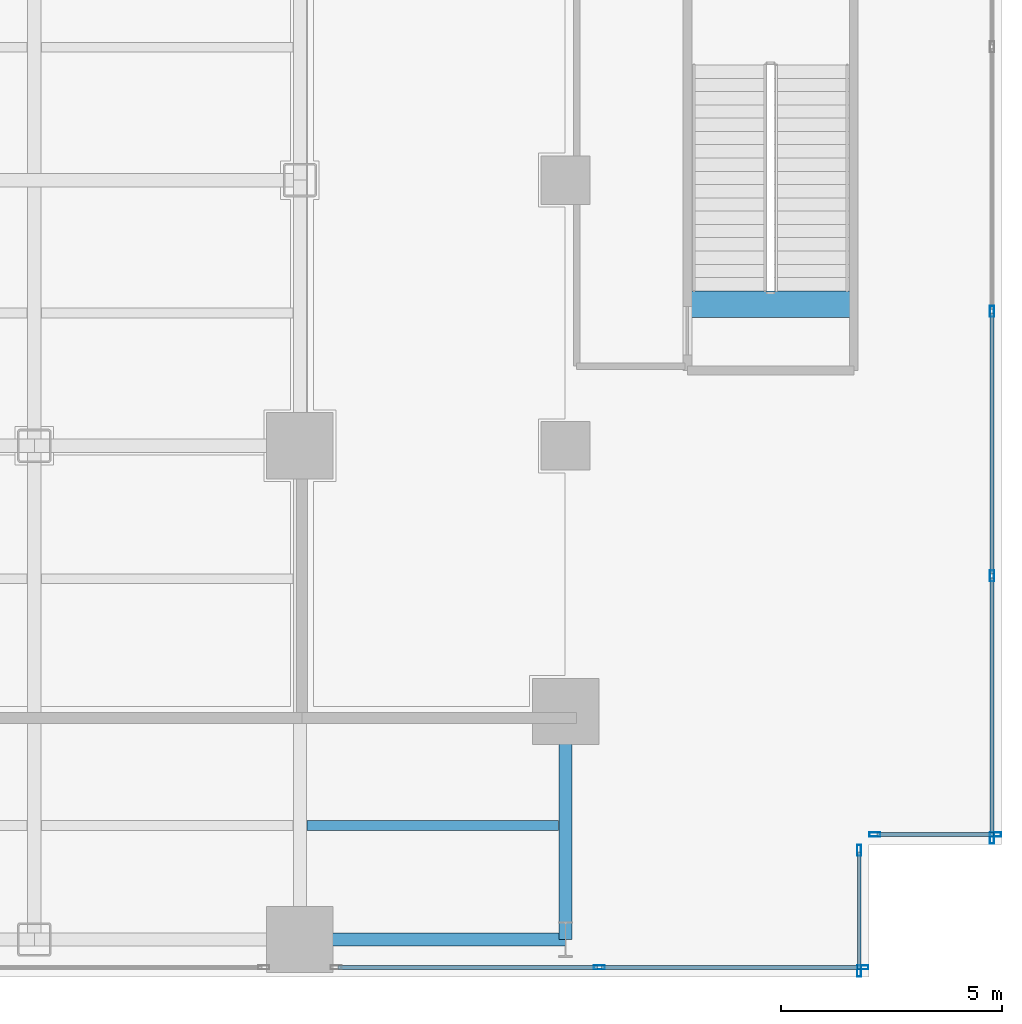
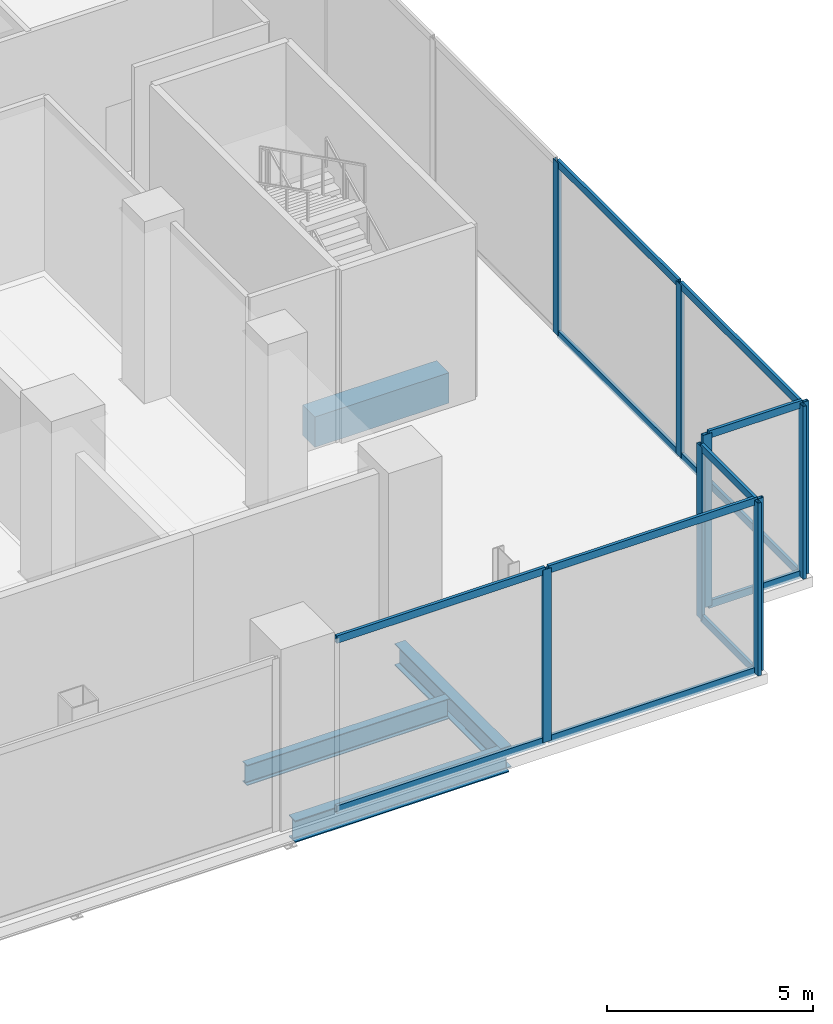
# One storey, part 10 of 27: 21 members, 4 beams, 4 elements without a shape of their own.
"""IFC4 building model written with IfcOpenShell, lengths in metres."""

from ifc_helpers import new_model, si_unit, direction, frame, origin, origin_2d, place, context, subcontext, project, spatial, rectangle, hollow_rectangle, i_section, extrude, material, layer, layer_set, material_profile, profile_set, type_object, element, aggregate, save


model = new_model("IFC4")

# Units and contexts
model_context = context("Model", 3, precision=1e-05, world=origin(), true_north=direction((0.0, 1.0)))
body_context = subcontext(model_context, "Body", "Model", "MODEL_VIEW")
ifc_project = project(units=[si_unit("LENGTHUNIT", "METRE"), si_unit("AREAUNIT", "SQUARE_METRE"), si_unit("VOLUMEUNIT", "CUBIC_METRE"), si_unit("PLANEANGLEUNIT", "RADIAN"), si_unit("MASSUNIT", "GRAM", prefix="KILO"), si_unit("THERMODYNAMICTEMPERATUREUNIT", "KELVIN"), si_unit("POWERUNIT", "WATT")], contexts=[model_context])

# Site, building, storey
site_placement = place(None, origin())
site = spatial("IfcSite", under=ifc_project, at=site_placement, CompositionType="ELEMENT")
building_placement = place(site_placement, origin())
building = spatial("IfcBuilding", under=site, at=building_placement, Name="Svarakhadi Broadcast Tower", CompositionType="ELEMENT")
storey_placement = place(building_placement, frame((0.0, 0.0, 5.699951171875)))
storey = spatial("IfcBuildingStorey", under=building, at=storey_placement, Name="L01", CompositionType="ELEMENT", Elevation=5.699951171875)

# Beam
ifc_material_1 = material(Name="Steel S355J2 (IS 2062 E350C)", Category="steel")
ifc_material_profile_1 = material_profile(ifc_material_1, i_section(OverallWidth=0.219970703125, OverallDepth=0.60009765625, WebThickness=0.011962890625, FlangeThickness=0.01904296875, FilletRadius=0.02392578125, at=origin_2d()), Name="NPB 600x220x122")
ifc_profile_set_1 = profile_set([ifc_material_profile_1], Name="Steel S355J2 (IS 2062 E350C)")
beam_type_1 = type_object("IfcBeamType", Name="Beam_NPB600", PredefinedType="BEAM", material=ifc_profile_set_1)
beam_1_placement = place(storey_placement, frame((47.31005859375, 3.425048828125, -0.599853515625), z_axis=(1.0, 0.0, 0.0), x_axis=(0.0, 1.0, 0.0)))
element("IfcBeam", 1, at=beam_1_placement, inside=storey, type_object=beam_type_1, Name="L01 Secondary Composite Beam SB027", PredefinedType="BEAM", context=body_context, shape_type="SweptSolid", body=[
    extrude(i_section(OverallWidth=0.219970703125, OverallDepth=0.60009765625, WebThickness=0.011962890625, FlangeThickness=0.01904296875, FilletRadius=0.02392578125, at=origin_2d()), origin(), (0.0, 0.0, 1.0), 5.679931640625),
])

# Curtain wall, members
ifc_material_2 = material(Name="Anodised Bronze Aluminium AA 6063-T6", Category="aluminium")
ifc_layer = layer(ifc_material_2, 0.25)
ifc_layer_set = layer_set([ifc_layer], Name="Anodised Bronze Aluminium AA 6063-T6")
curtain_wall_type = type_object("IfcCurtainWallType", Name="CW_Sys_01", PredefinedType="NOTDEFINED", material=ifc_layer_set)
curtain_wall_1_placement = place(storey_placement, origin())
curtain_wall_1 = element("IfcCurtainWall", 2, at=curtain_wall_1_placement, inside=storey, type_object=curtain_wall_type, Name="L01 Unitised Facade Curtain Wall 08", PredefinedType="NOTDEFINED")
ifc_material_profile_2 = material_profile(ifc_material_2, hollow_rectangle(XDim=0.094970703125, YDim=0.25, WallThickness=0.006103515625, at=origin_2d()), Name="ALU MULLION 250x95x6")
ifc_profile_set_2 = profile_set([ifc_material_profile_2], Name="Anodised Bronze Aluminium AA 6063-T6")
member_type_1 = type_object("IfcMemberType", Name="CW_Sys_01_Mul", PredefinedType="MULLION", material=ifc_profile_set_2)
member_1_placement = place(storey_placement, frame((62.780029296875, 15.03857421875, 0.0), z_axis=(0.0, 0.0, 1.0), x_axis=(1.0, 0.0, 0.0)))
member_1 = element("IfcMember", 3, at=member_1_placement, type_object=member_type_1, Name="CW-01 mullion 6", PredefinedType="MULLION", context=body_context, shape_type="SweptSolid", body=[
    extrude(hollow_rectangle(XDim=0.094970703125, YDim=0.25, WallThickness=0.006103515625, at=origin_2d()), origin(), (0.0, 0.0, 1.0), 5.125),
])
member_2_placement = place(storey_placement, frame((62.780029296875, 9.064208984375, 0.0), z_axis=(0.0, 0.0, 1.0), x_axis=(1.0, 0.0, 0.0)))
member_2 = element("IfcMember", 4, at=member_2_placement, type_object=member_type_1, Name="CW-01 mullion 7", PredefinedType="MULLION", context=body_context, shape_type="SweptSolid", body=[
    extrude(hollow_rectangle(XDim=0.094970703125, YDim=0.25, WallThickness=0.006103515625, at=origin_2d()), origin(), (0.0, 0.0, 1.0), 5.125),
])
member_3_placement = place(storey_placement, frame((62.780029296875, 3.137451171875, 0.0), z_axis=(0.0, 0.0, 1.0), x_axis=(1.0, 0.0, 0.0)))
member_3 = element("IfcMember", 5, at=member_3_placement, type_object=member_type_1, Name="CW-01 mullion 8", PredefinedType="MULLION", context=body_context, shape_type="SweptSolid", body=[
    extrude(hollow_rectangle(XDim=0.094970703125, YDim=0.25, WallThickness=0.006103515625, at=origin_2d()), origin(), (0.0, 0.0, 1.0), 5.125),
])

curtain_wall_2_placement = place(storey_placement, origin())
curtain_wall_2 = element("IfcCurtainWall", 6, at=curtain_wall_2_placement, inside=storey, type_object=curtain_wall_type, Name="L01 Unitised Facade Curtain Wall 09", PredefinedType="NOTDEFINED")
member_4_placement = place(storey_placement, frame((62.862548828125, 3.219970703125, 0.0), z_axis=(0.0, 0.0, 1.0), x_axis=(0.0, -1.0, 0.0)))
member_4 = element("IfcMember", 7, at=member_4_placement, type_object=member_type_1, Name="CW-01 mullion 1", PredefinedType="MULLION", context=body_context, shape_type="SweptSolid", body=[
    extrude(hollow_rectangle(XDim=0.094970703125, YDim=0.25, WallThickness=0.006103515625, at=origin_2d()), origin(), (0.0, 0.0, 1.0), 5.125),
])
member_5_placement = place(storey_placement, frame((60.137451171875, 3.219970703125, 0.0), z_axis=(0.0, 0.0, 1.0), x_axis=(0.0, -1.0, 0.0)))
member_5 = element("IfcMember", 8, at=member_5_placement, type_object=member_type_1, Name="CW-01 mullion 2", PredefinedType="MULLION", context=body_context, shape_type="SweptSolid", body=[
    extrude(hollow_rectangle(XDim=0.094970703125, YDim=0.25, WallThickness=0.006103515625, at=origin_2d()), origin(), (0.0, 0.0, 1.0), 5.125),
])

curtain_wall_3_placement = place(storey_placement, origin())
curtain_wall_3 = element("IfcCurtainWall", 9, at=curtain_wall_3_placement, inside=storey, type_object=curtain_wall_type, Name="L01 Unitised Facade Curtain Wall 10", PredefinedType="NOTDEFINED")
member_6_placement = place(storey_placement, frame((59.780029296875, 2.862548828125, 0.0), z_axis=(0.0, 0.0, 1.0), x_axis=(1.0, 0.0, 0.0)))
member_6 = element("IfcMember", 10, at=member_6_placement, type_object=member_type_1, Name="CW-01 mullion 1", PredefinedType="MULLION", context=body_context, shape_type="SweptSolid", body=[
    extrude(hollow_rectangle(XDim=0.094970703125, YDim=0.25, WallThickness=0.006103515625, at=origin_2d()), origin(), (0.0, 0.0, 1.0), 5.125),
])
member_7_placement = place(storey_placement, frame((59.780029296875, 0.137451171875, 0.0), z_axis=(0.0, 0.0, 1.0), x_axis=(1.0, 0.0, 0.0)))
member_7 = element("IfcMember", 11, at=member_7_placement, type_object=member_type_1, Name="CW-01 mullion 2", PredefinedType="MULLION", context=body_context, shape_type="SweptSolid", body=[
    extrude(hollow_rectangle(XDim=0.094970703125, YDim=0.25, WallThickness=0.006103515625, at=origin_2d()), origin(), (0.0, 0.0, 1.0), 5.125),
])

curtain_wall_4_placement = place(storey_placement, origin())
curtain_wall_4 = element("IfcCurtainWall", 12, at=curtain_wall_4_placement, inside=storey, type_object=curtain_wall_type, Name="L01 South Curtain Wall 11 Bay 1", PredefinedType="NOTDEFINED")
member_8_placement = place(storey_placement, frame((59.862548828125, 0.219970703125, 0.0), z_axis=(0.0, 0.0, 1.0), x_axis=(0.0, -1.0, 0.0)))
member_8 = element("IfcMember", 13, at=member_8_placement, type_object=member_type_1, Name="CW-01 mullion 1", PredefinedType="MULLION", context=body_context, shape_type="SweptSolid", body=[
    extrude(hollow_rectangle(XDim=0.094970703125, YDim=0.25, WallThickness=0.006103515625, at=origin_2d()), origin(), (0.0, 0.0, 1.0), 5.125),
])
member_9_placement = place(storey_placement, frame((53.9150390625, 0.219970703125, 0.0), z_axis=(0.0, 0.0, 1.0), x_axis=(0.0, -1.0, 0.0)))
member_9 = element("IfcMember", 14, at=member_9_placement, type_object=member_type_1, Name="CW-01 mullion 2", PredefinedType="MULLION", context=body_context, shape_type="SweptSolid", body=[
    extrude(hollow_rectangle(XDim=0.094970703125, YDim=0.25, WallThickness=0.006103515625, at=origin_2d()), origin(), (0.0, 0.0, 1.0), 5.125),
])

# Member
ifc_material_profile_3 = material_profile(ifc_material_2, hollow_rectangle(XDim=0.0849609375, YDim=0.219970703125, WallThickness=0.0048828125, at=origin_2d()), Name="ALU TRANSOM 220x85x5")
ifc_profile_set_3 = profile_set([ifc_material_profile_3], Name="Anodised Bronze Aluminium AA 6063-T6")
member_type_2 = type_object("IfcMemberType", Name="CW_Sys_01_Trn", PredefinedType="USERDEFINED", material=ifc_profile_set_3)
member_10_placement = place(storey_placement, frame((62.780029296875, 14.990966796875, 0.04248046875), z_axis=(0.0, -1.0, 0.0), x_axis=(1.0, 0.0, 0.0)))
member_10 = element("IfcMember", 15, at=member_10_placement, type_object=member_type_2, Name="CW-01 transom 6.1", ObjectType="TRANSOM", PredefinedType="USERDEFINED", context=body_context, shape_type="SweptSolid", body=[
    extrude(hollow_rectangle(XDim=0.0849609375, YDim=0.219970703125, WallThickness=0.0048828125, at=origin_2d()), origin(), (0.0, 0.0, 1.0), 5.879150390625),
])

member_11_placement = place(storey_placement, frame((62.780029296875, 14.990966796875, 5.08251953125), z_axis=(0.0, -1.0, 0.0), x_axis=(1.0, 0.0, 0.0)))
member_11 = element("IfcMember", 16, at=member_11_placement, type_object=member_type_2, Name="CW-01 transom 6.2", ObjectType="TRANSOM", PredefinedType="USERDEFINED", context=body_context, shape_type="SweptSolid", body=[
    extrude(hollow_rectangle(XDim=0.0849609375, YDim=0.219970703125, WallThickness=0.0048828125, at=origin_2d()), origin(), (0.0, 0.0, 1.0), 5.879150390625),
])

member_12_placement = place(storey_placement, frame((62.780029296875, 9.016845703125, 0.04248046875), z_axis=(0.0, -1.0, 0.0), x_axis=(1.0, 0.0, 0.0)))
member_12 = element("IfcMember", 17, at=member_12_placement, type_object=member_type_2, Name="CW-01 transom 7.1", ObjectType="TRANSOM", PredefinedType="USERDEFINED", context=body_context, shape_type="SweptSolid", body=[
    extrude(hollow_rectangle(XDim=0.0849609375, YDim=0.219970703125, WallThickness=0.0048828125, at=origin_2d()), origin(), (0.0, 0.0, 1.0), 5.831787109375),
])

member_13_placement = place(storey_placement, frame((62.780029296875, 9.016845703125, 5.08251953125), z_axis=(0.0, -1.0, 0.0), x_axis=(1.0, 0.0, 0.0)))
member_13 = element("IfcMember", 18, at=member_13_placement, type_object=member_type_2, Name="CW-01 transom 7.2", ObjectType="TRANSOM", PredefinedType="USERDEFINED", context=body_context, shape_type="SweptSolid", body=[
    extrude(hollow_rectangle(XDim=0.0849609375, YDim=0.219970703125, WallThickness=0.0048828125, at=origin_2d()), origin(), (0.0, 0.0, 1.0), 5.831787109375),
])

aggregate(curtain_wall_1, [member_1, member_2, member_3, member_10, member_11, member_12, member_13])

member_14_placement = place(storey_placement, frame((62.81494140625, 3.219970703125, 0.04248046875), z_axis=(-1.0, 0.0, 0.0), x_axis=(0.0, -1.0, 0.0)))
member_14 = element("IfcMember", 19, at=member_14_placement, type_object=member_type_2, Name="CW-01 transom 1.1", ObjectType="TRANSOM", PredefinedType="USERDEFINED", context=body_context, shape_type="SweptSolid", body=[
    extrude(hollow_rectangle(XDim=0.0849609375, YDim=0.219970703125, WallThickness=0.0048828125, at=origin_2d()), origin(), (0.0, 0.0, 1.0), 2.6298828125),
])

member_15_placement = place(storey_placement, frame((62.81494140625, 3.219970703125, 5.08251953125), z_axis=(-1.0, 0.0, 0.0), x_axis=(0.0, -1.0, 0.0)))
member_15 = element("IfcMember", 20, at=member_15_placement, type_object=member_type_2, Name="CW-01 transom 1.2", ObjectType="TRANSOM", PredefinedType="USERDEFINED", context=body_context, shape_type="SweptSolid", body=[
    extrude(hollow_rectangle(XDim=0.0849609375, YDim=0.219970703125, WallThickness=0.0048828125, at=origin_2d()), origin(), (0.0, 0.0, 1.0), 2.6298828125),
])

aggregate(curtain_wall_2, [member_4, member_5, member_14, member_15])

member_16_placement = place(storey_placement, frame((59.780029296875, 2.81494140625, 0.04248046875), z_axis=(0.0, -1.0, 0.0), x_axis=(1.0, 0.0, 0.0)))
member_16 = element("IfcMember", 21, at=member_16_placement, type_object=member_type_2, Name="CW-01 transom 1.1", ObjectType="TRANSOM", PredefinedType="USERDEFINED", context=body_context, shape_type="SweptSolid", body=[
    extrude(hollow_rectangle(XDim=0.0849609375, YDim=0.219970703125, WallThickness=0.0048828125, at=origin_2d()), origin(), (0.0, 0.0, 1.0), 2.6298828125),
])

member_17_placement = place(storey_placement, frame((59.780029296875, 2.81494140625, 5.08251953125), z_axis=(0.0, -1.0, 0.0), x_axis=(1.0, 0.0, 0.0)))
member_17 = element("IfcMember", 22, at=member_17_placement, type_object=member_type_2, Name="CW-01 transom 1.2", ObjectType="TRANSOM", PredefinedType="USERDEFINED", context=body_context, shape_type="SweptSolid", body=[
    extrude(hollow_rectangle(XDim=0.0849609375, YDim=0.219970703125, WallThickness=0.0048828125, at=origin_2d()), origin(), (0.0, 0.0, 1.0), 2.6298828125),
])

aggregate(curtain_wall_3, [member_6, member_7, member_16, member_17])

member_18_placement = place(storey_placement, frame((59.81494140625, 0.219970703125, 0.04248046875), z_axis=(-1.0, 0.0, 0.0), x_axis=(0.0, -1.0, 0.0)))
member_18 = element("IfcMember", 23, at=member_18_placement, type_object=member_type_2, Name="CW-01 transom 1.1", ObjectType="TRANSOM", PredefinedType="USERDEFINED", context=body_context, shape_type="SweptSolid", body=[
    extrude(hollow_rectangle(XDim=0.0849609375, YDim=0.219970703125, WallThickness=0.0048828125, at=origin_2d()), origin(), (0.0, 0.0, 1.0), 5.8525390625),
])

member_19_placement = place(storey_placement, frame((59.81494140625, 0.219970703125, 5.08251953125), z_axis=(-1.0, 0.0, 0.0), x_axis=(0.0, -1.0, 0.0)))
member_19 = element("IfcMember", 24, at=member_19_placement, type_object=member_type_2, Name="CW-01 transom 1.2", ObjectType="TRANSOM", PredefinedType="USERDEFINED", context=body_context, shape_type="SweptSolid", body=[
    extrude(hollow_rectangle(XDim=0.0849609375, YDim=0.219970703125, WallThickness=0.0048828125, at=origin_2d()), origin(), (0.0, 0.0, 1.0), 5.8525390625),
])

member_20_placement = place(storey_placement, frame((53.867431640625, 0.219970703125, 0.04248046875), z_axis=(-1.0, 0.0, 0.0), x_axis=(0.0, -1.0, 0.0)))
member_20 = element("IfcMember", 25, at=member_20_placement, type_object=member_type_2, Name="CW-01 transom 2.1", ObjectType="TRANSOM", PredefinedType="USERDEFINED", context=body_context, shape_type="SweptSolid", body=[
    extrude(hollow_rectangle(XDim=0.0849609375, YDim=0.219970703125, WallThickness=0.0048828125, at=origin_2d()), origin(), (0.0, 0.0, 1.0), 5.8525390625),
])

member_21_placement = place(storey_placement, frame((53.867431640625, 0.219970703125, 5.08251953125), z_axis=(-1.0, 0.0, 0.0), x_axis=(0.0, -1.0, 0.0)))
member_21 = element("IfcMember", 26, at=member_21_placement, type_object=member_type_2, Name="CW-01 transom 2.2", ObjectType="TRANSOM", PredefinedType="USERDEFINED", context=body_context, shape_type="SweptSolid", body=[
    extrude(hollow_rectangle(XDim=0.0849609375, YDim=0.219970703125, WallThickness=0.0048828125, at=origin_2d()), origin(), (0.0, 0.0, 1.0), 5.8525390625),
])

aggregate(curtain_wall_4, [member_8, member_9, member_18, member_19, member_20, member_21])

# Beams
ifc_material_3 = material(Name="Concrete C50/60 (IS 456 M60)", Category="concrete")
ifc_material_profile_4 = material_profile(ifc_material_3, rectangle(XDim=0.60009765625, YDim=0.89990234375, at=origin_2d()), Name="RC 600x900")
ifc_profile_set_4 = profile_set([ifc_material_profile_4], Name="Concrete C50/60 (IS 456 M60)")
beam_type_2 = type_object("IfcBeamType", Name="Coupling_RC600", PredefinedType="USERDEFINED", material=ifc_profile_set_4)
beam_2_placement = place(storey_placement, frame((55.89990234375, 15.199951171875, -0.449951171875), z_axis=(1.0, 0.0, 0.0), x_axis=(0.0, 1.0, 0.0)))
element("IfcBeam", 27, at=beam_2_placement, inside=storey, type_object=beam_type_2, Name="L01 Stair ST-04 Landing Throat Trimmer Beam CB-01", ObjectType="GIRDER", PredefinedType="USERDEFINED", context=body_context, shape_type="SweptSolid", body=[
    extrude(rectangle(XDim=0.60009765625, YDim=0.89990234375, at=origin_2d()), origin(), (0.0, 0.0, 1.0), 3.760009765625),
])
ifc_material_profile_5 = material_profile(ifc_material_1, i_section(OverallWidth=0.300048828125, OverallDepth=0.64990234375, WebThickness=0.01611328125, FlangeThickness=0.031005859375, FilletRadius=0.027099609375, at=origin_2d()), Name="WPB 650x300x225")
ifc_profile_set_5 = profile_set([ifc_material_profile_5], Name="Steel S355J2 (IS 2062 E350C)")
beam_type_3 = type_object("IfcBeamType", Name="Girder_WPB650", PredefinedType="USERDEFINED", material=ifc_profile_set_5)
beam_3_placement = place(storey_placement, frame((47.14990234375, 0.85009765625, -0.625), z_axis=(1.0, 0.0, 0.0), x_axis=(0.0, 1.0, 0.0)))
element("IfcBeam", 28, at=beam_3_placement, inside=storey, type_object=beam_type_3, Name="L01 Primary E-W Girder G011", ObjectType="GIRDER", PredefinedType="USERDEFINED", context=body_context, shape_type="SweptSolid", body=[
    extrude(i_section(OverallWidth=0.300048828125, OverallDepth=0.64990234375, WebThickness=0.01611328125, FlangeThickness=0.031005859375, FilletRadius=0.027099609375, at=origin_2d()), origin(), (0.0, 0.0, 1.0), 6.0),
])
beam_4_placement = place(storey_placement, frame((53.14990234375, 0.85009765625, -0.625), z_axis=(0.0, 1.0, 0.0), x_axis=(-1.0, 0.0, 0.0)))
element("IfcBeam", 29, at=beam_4_placement, inside=storey, type_object=beam_type_3, Name="L01 Primary N-S Girder G084", ObjectType="GIRDER", PredefinedType="USERDEFINED", context=body_context, shape_type="SweptSolid", body=[
    extrude(i_section(OverallWidth=0.300048828125, OverallDepth=0.64990234375, WebThickness=0.01611328125, FlangeThickness=0.031005859375, FilletRadius=0.027099609375, at=origin_2d()), origin(), (0.0, 0.0, 1.0), 5.14990234375),
])

save(model, "model.ifc")
